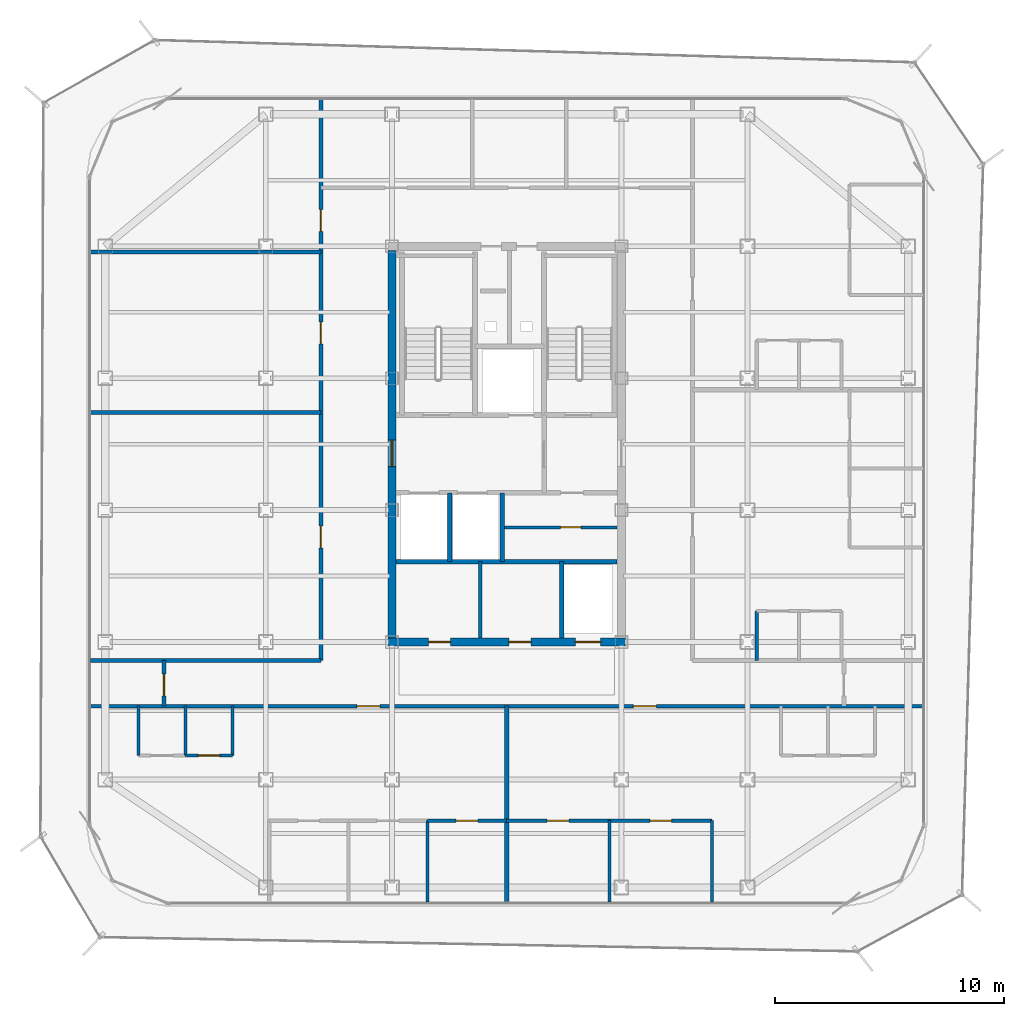
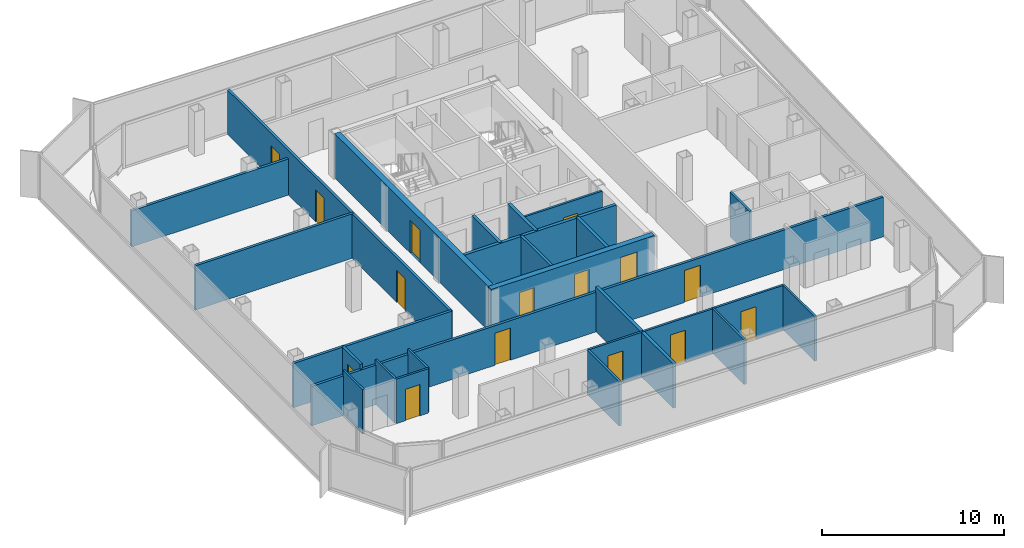
# One storey, part 10 of 15: 27 walls, 15 doors, 15 openings.
"""IFC4 building model written with IfcOpenShell, lengths in metres."""

from ifc_helpers import new_model, si_unit, direction, frame, frame_2d, origin, place, context, subcontext, project, spatial, rectangle, extrude, material, layer, layer_set, type_object, element, fill, save


model = new_model("IFC4")

# Units and contexts
model_context = context("Model", 3, precision=1e-05, world=origin(), true_north=direction((0.0, 1.0)))
body_context = subcontext(model_context, "Body", "Model", "MODEL_VIEW")
ifc_project = project(units=[si_unit("LENGTHUNIT", "METRE"), si_unit("AREAUNIT", "SQUARE_METRE"), si_unit("VOLUMEUNIT", "CUBIC_METRE"), si_unit("PLANEANGLEUNIT", "RADIAN"), si_unit("MASSUNIT", "GRAM", prefix="KILO")], contexts=[model_context])

# Site, building, storey
site_placement = place(None, origin())
site = spatial("IfcSite", under=ifc_project, at=site_placement, CompositionType="ELEMENT")
building_placement = place(site_placement, origin())
building = spatial("IfcBuilding", under=site, at=building_placement, Name="Kolveth Station Tower", CompositionType="ELEMENT")
storey_placement = place(building_placement, frame((0.0, 0.0, 242.5)))
storey = spatial("IfcBuildingStorey", under=building, at=storey_placement, Name="L69", CompositionType="ELEMENT", Elevation=242.5)

# Wall, openings, doors
ifc_material_1 = material(Name="Concrete C50/60", Category="concrete")
ifc_layer_1 = layer(ifc_material_1, 0.35009765625)
ifc_layer_set_1 = layer_set([ifc_layer_1], Name="Concrete C50/60")
wall_type_1 = type_object("IfcWallType", Name="Wall_CW-350", PredefinedType="SHEAR", material=ifc_layer_set_1)
wall_1_placement = place(storey_placement, frame((18.324951171875, 11.5, 0.0), z_axis=(0.0, 0.0, 1.0), x_axis=(1.0, 0.0, 0.0)))
wall_1 = element("IfcWall", 1, at=wall_1_placement, inside=storey, type_object=wall_type_1, Name="L69 Core RC Shear Wall S", PredefinedType="SHEAR", context=body_context, shape_type="SweptSolid", body=[
    extrude(rectangle(XDim=10.35009765625, YDim=0.35009765625, at=frame_2d((5.175048828125, 0.0))), origin(), (0.0, 0.0, 1.0), 2.97998046875),
])
opening_1_placement = place(wall_1_placement, frame((1.77490234375, 0.0, 0.0)))
opening_1 = element("IfcOpeningElement", 2, at=opening_1_placement, cuts=wall_1, Name="Opening ID1", PredefinedType="OPENING", context=body_context, shape_type="SweptSolid", body=[
    extrude(rectangle(XDim=0.949951171875, YDim=2.14990234375, at=frame_2d((0.47509765625, 1.074951171875))), frame((0.0, 0.18505859375, 0.0), z_axis=(0.0, -1.0, 0.0), x_axis=(1.0, 0.0, 0.0)), (0.0, 0.0, 1.0), 0.3701171875),
])
opening_2_placement = place(wall_1_placement, frame((5.27490234375, 0.0, 0.0)))
opening_2 = element("IfcOpeningElement", 3, at=opening_2_placement, cuts=wall_1, Name="Opening ID1", PredefinedType="OPENING", context=body_context, shape_type="SweptSolid", body=[
    extrude(rectangle(XDim=0.949951171875, YDim=2.14990234375, at=frame_2d((0.47509765625, 1.074951171875))), frame((0.0, 0.18505859375, 0.0), z_axis=(0.0, -1.0, 0.0), x_axis=(1.0, 0.0, 0.0)), (0.0, 0.0, 1.0), 0.3701171875),
])
opening_3_placement = place(wall_1_placement, frame((8.175048828125, 0.0, 0.0)))
opening_3 = element("IfcOpeningElement", 4, at=opening_3_placement, cuts=wall_1, Name="Opening LD1", PredefinedType="OPENING", context=body_context, shape_type="SweptSolid", body=[
    extrude(rectangle(XDim=1.10009765625, YDim=2.25, at=frame_2d((0.550048828125, 1.125))), frame((0.0, 0.18505859375, 0.0), z_axis=(0.0, -1.0, 0.0), x_axis=(1.0, 0.0, 0.0)), (0.0, 0.0, 1.0), 0.3701171875),
])
ifc_material_2 = material(Name="Acoustic hardwood leaf and aluminium frame", Category="wood")
door_type_1 = type_object("IfcDoorType", Name="Door_ID1", OperationType="NOTDEFINED", PredefinedType="DOOR", material=ifc_material_2)
door_1_placement = place(opening_1_placement, frame((0.949951171875, 0.0, 0.0), z_axis=(0.0, 0.0, 1.0), x_axis=(-1.0, 0.0, 0.0)))
door_1 = element("IfcDoor", 5, at=door_1_placement, inside=storey, type_object=door_type_1, Name="L69 Laundry Room Door", OperationType="SINGLE_SWING_LEFT", OverallHeight=2.14990234375, OverallWidth=0.949951171875, PredefinedType="DOOR", context=body_context, shape_type="SweptSolid", body=[
    extrude(rectangle(XDim=0.949951171875, YDim=2.14990234375, at=frame_2d((0.47509765625, 1.074951171875))), frame((0.0, 0.02490234375, 0.0), z_axis=(0.0, -1.0, 0.0), x_axis=(1.0, 0.0, 0.0)), (0.0, 0.0, 1.0), 0.050048828125),
])
fill(opening_1, door_1)
door_2_placement = place(opening_2_placement, frame((0.949951171875, 0.0, 0.0), z_axis=(0.0, 0.0, 1.0), x_axis=(-1.0, 0.0, 0.0)))
door_2 = element("IfcDoor", 6, at=door_2_placement, inside=storey, type_object=door_type_1, Name="L69 Parcel Room Door", OperationType="SINGLE_SWING_RIGHT", OverallHeight=2.14990234375, OverallWidth=0.949951171875, PredefinedType="DOOR", context=body_context, shape_type="SweptSolid", body=[
    extrude(rectangle(XDim=0.949951171875, YDim=2.14990234375, at=frame_2d((0.47509765625, 1.074951171875))), frame((0.0, 0.02490234375, 0.0), z_axis=(0.0, -1.0, 0.0), x_axis=(1.0, 0.0, 0.0)), (0.0, 0.0, 1.0), 0.050048828125),
])
fill(opening_2, door_2)
ifc_material_3 = material(Name="Brushed stainless steel sliding landing doors", Category="steel")
door_type_2 = type_object("IfcDoorType", Name="Door_LD1", OperationType="NOTDEFINED", PredefinedType="DOOR", material=ifc_material_3)
door_3_placement = place(opening_3_placement, frame((1.10009765625, 0.0, 0.0), z_axis=(0.0, 0.0, 1.0), x_axis=(-1.0, 0.0, 0.0)))
door_3 = element("IfcDoor", 7, at=door_3_placement, inside=storey, type_object=door_type_2, Name="L69 Lift PH1 Landing Door", OperationType="DOUBLE_DOOR_SLIDING", OverallHeight=2.25, OverallWidth=1.10009765625, PredefinedType="DOOR", context=body_context, shape_type="SweptSolid", body=[
    extrude(rectangle(XDim=1.10009765625, YDim=2.25, at=frame_2d((0.550048828125, 1.125))), frame((0.0, 0.02490234375, 0.0), z_axis=(0.0, -1.0, 0.0), x_axis=(1.0, 0.0, 0.0)), (0.0, 0.0, 1.0), 0.050048828125),
])
fill(opening_3, door_3)

# Wall, opening, door
wall_2_placement = place(storey_placement, frame((18.5, 11.675048828125, 0.0), z_axis=(0.0, 0.0, 1.0), x_axis=(0.0, 1.0, 0.0)))
wall_2 = element("IfcWall", 8, at=wall_2_placement, inside=storey, type_object=wall_type_1, Name="L69 Core RC Shear Wall W", PredefinedType="SHEAR", context=body_context, shape_type="SweptSolid", body=[
    extrude(rectangle(XDim=16.89990234375, YDim=0.35009765625, at=frame_2d((8.449951171875, 0.0))), origin(), (0.0, 0.0, 1.0), 2.97998046875),
])
opening_4_placement = place(wall_2_placement, frame((7.47509765625, 0.0, 0.0)))
opening_4 = element("IfcOpeningElement", 9, at=opening_4_placement, cuts=wall_2, Name="Opening FD1", PredefinedType="OPENING", context=body_context, shape_type="SweptSolid", body=[
    extrude(rectangle(XDim=1.14990234375, YDim=2.199951171875, at=frame_2d((0.574951171875, 1.10009765625))), frame((0.0, 0.18505859375, 0.0), z_axis=(0.0, -1.0, 0.0), x_axis=(1.0, 0.0, 0.0)), (0.0, 0.0, 1.0), 0.3701171875),
])
ifc_material_4 = material(Name="Fire-rated Steel S355 leaf and frame", Category="steel")
door_type_3 = type_object("IfcDoorType", Name="Door_FD1", OperationType="NOTDEFINED", PredefinedType="DOOR", material=ifc_material_4)
door_4_placement = place(opening_4_placement, frame((1.14990234375, 0.0, 0.0), z_axis=(0.0, 0.0, 1.0), x_axis=(-1.0, 0.0, 0.0)))
door_4 = element("IfcDoor", 10, at=door_4_placement, inside=storey, type_object=door_type_3, Name="L69 West Corridor to Firefighting Lobby Door", OperationType="SINGLE_SWING_LEFT", OverallHeight=2.199951171875, OverallWidth=1.14990234375, PredefinedType="DOOR", context=body_context, shape_type="SweptSolid", body=[
    extrude(rectangle(XDim=1.14990234375, YDim=2.199951171875, at=frame_2d((0.574951171875, 1.10009765625))), frame((0.0, 0.02490234375, 0.0), z_axis=(0.0, -1.0, 0.0), x_axis=(1.0, 0.0, 0.0)), (0.0, 0.0, 1.0), 0.050048828125),
])
fill(opening_4, door_4)

ifc_material_5 = material(Name="Moisture-resistant gypsum partition")
ifc_layer_2 = layer(ifc_material_5, 0.135009765625)
ifc_layer_set_2 = layer_set([ifc_layer_2], Name="Moisture-resistant gypsum partition")
wall_type_2 = type_object("IfcWallType", Name="Wall_IW-135", PredefinedType="PARTITIONING", material=ifc_layer_set_2)
wall_3_placement = place(storey_placement, frame((23.300048828125, 16.5, 0.0), z_axis=(0.0, 0.0, 1.0), x_axis=(1.0, 0.0, 0.0)))
wall_3 = element("IfcWall", 11, at=wall_3_placement, inside=storey, type_object=wall_type_2, Name="L69 Partition Wall WL-L69-CB-H1", PredefinedType="PARTITIONING", context=body_context, shape_type="SweptSolid", body=[
    extrude(rectangle(XDim=5.014892578125, YDim=0.135009765625, at=frame_2d((2.50732421875, 0.0))), origin(), (0.0, 0.0, 1.0), 2.97998046875),
])
opening_5_placement = place(wall_3_placement, frame((2.550048828125, 0.0, 0.0)))
opening_5 = element("IfcOpeningElement", 12, at=opening_5_placement, cuts=wall_3, Name="Opening RD1", PredefinedType="OPENING", context=body_context, shape_type="SweptSolid", body=[
    extrude(rectangle(XDim=0.89990234375, YDim=2.050048828125, at=frame_2d((0.449951171875, 1.02490234375))), frame((0.0, 0.077392578125, 0.0), z_axis=(0.0, -1.0, 0.0), x_axis=(1.0, 0.0, 0.0)), (0.0, 0.0, 1.0), 0.155029296875),
])
ifc_material_6 = material(Name="Fire-rated Steel S355 riser access leaf", Category="steel")
door_type_4 = type_object("IfcDoorType", Name="Door_RD1", OperationType="NOTDEFINED", PredefinedType="DOOR", material=ifc_material_6)
door_5_placement = place(opening_5_placement, frame((0.89990234375, 0.0, 0.0), z_axis=(0.0, 0.0, 1.0), x_axis=(-1.0, 0.0, 0.0)))
door_5 = element("IfcDoor", 13, at=door_5_placement, inside=storey, type_object=door_type_4, Name="L69 Core Equipment Store Door", OperationType="SINGLE_SWING_RIGHT", OverallHeight=2.050048828125, OverallWidth=0.89990234375, PredefinedType="DOOR", context=body_context, shape_type="SweptSolid", body=[
    extrude(rectangle(XDim=0.89990234375, YDim=2.050048828125, at=frame_2d((0.449951171875, 1.02490234375))), frame((0.0, 0.02490234375, 0.0), z_axis=(0.0, -1.0, 0.0), x_axis=(1.0, 0.0, 0.0)), (0.0, 0.0, 1.0), 0.050048828125),
])
fill(opening_5, door_5)

wall_4_placement = place(storey_placement, frame((9.5, 6.550048828125, 0.0), z_axis=(0.0, 0.0, 1.0), x_axis=(1.0, 0.0, 0.0)))
wall_4 = element("IfcWall", 14, at=wall_4_placement, inside=storey, type_object=wall_type_2, Name="L69 Partition Wall WL-L69-A1-IBHB", PredefinedType="PARTITIONING", context=body_context, shape_type="SweptSolid", body=[
    extrude(rectangle(XDim=2.050048828125, YDim=0.135009765625, at=frame_2d((1.02490234375, 0.0))), origin(), (0.0, 0.0, 1.0), 2.97998046875),
])
opening_6_placement = place(wall_4_placement, frame((0.56494140625, 0.0, 0.0)))
opening_6 = element("IfcOpeningElement", 15, at=opening_6_placement, cuts=wall_4, Name="Opening ID2", PredefinedType="OPENING", context=body_context, shape_type="SweptSolid", body=[
    extrude(rectangle(XDim=0.919921875, YDim=2.10009765625, at=frame_2d((0.4599609375, 1.050048828125))), frame((0.0, 0.077392578125, 0.0), z_axis=(0.0, -1.0, 0.0), x_axis=(1.0, 0.0, 0.0)), (0.0, 0.0, 1.0), 0.155029296875),
])
ifc_material_7 = material(Name="Moisture-resistant hardwood leaf", Category="wood")
door_type_5 = type_object("IfcDoorType", Name="Door_ID2", OperationType="NOTDEFINED", PredefinedType="DOOR", material=ifc_material_7)
door_6_placement = place(opening_6_placement, origin())
door_6 = element("IfcDoor", 16, at=door_6_placement, inside=storey, type_object=door_type_5, Name="Penthouse Flat L69-A1 Bathroom Door", OperationType="SINGLE_SWING_RIGHT", OverallHeight=2.10009765625, OverallWidth=0.919921875, PredefinedType="DOOR", context=body_context, shape_type="SweptSolid", body=[
    extrude(rectangle(XDim=0.919921875, YDim=2.10009765625, at=frame_2d((0.4599609375, 1.050048828125))), frame((0.0, 0.02490234375, 0.0), z_axis=(0.0, -1.0, 0.0), x_axis=(1.0, 0.0, 0.0)), (0.0, 0.0, 1.0), 0.050048828125),
])
fill(opening_6, door_6)

# Walls
for number, where, z_axis, x_axis, name in (
    (17, (7.449951171875, 6.550048828125, 0.0), (0.0, 0.0, 1.0), (0.0, 1.0, 0.0), "L69 Partition Wall WL-L69-A1-IBV0"),
    (18, (9.5, 6.550048828125, 0.0), (0.0, 0.0, 1.0), (0.0, 1.0, 0.0), "L69 Partition Wall WL-L69-A1-IBV1"),
    (19, (11.550048828125, 6.550048828125, 0.0), (0.0, 0.0, 1.0), (0.0, 1.0, 0.0), "L69 Partition Wall WL-L69-A1-IBV2"),
):
    element("IfcWall", number, at=place(storey_placement, frame(where, z_axis=z_axis, x_axis=x_axis)), inside=storey, type_object=wall_type_2, Name=name, PredefinedType="PARTITIONING", context=body_context, shape_type="SweptSolid", body=[
        extrude(rectangle(XDim=2.14990234375, YDim=0.135009765625, at=frame_2d((1.074951171875, 0.0))), origin(), (0.0, 0.0, 1.0), 2.97998046875),
    ])

# Wall, opening, door
wall_5_placement = place(storey_placement, frame((20.050048828125, 3.7099609375, 0.0), z_axis=(0.0, 0.0, 1.0), x_axis=(1.0, 0.0, 0.0)))
wall_5 = element("IfcWall", 20, at=wall_5_placement, inside=storey, type_object=wall_type_2, Name="L69 Partition Wall WL-L69-A1-BDH3", PredefinedType="PARTITIONING", context=body_context, shape_type="SweptSolid", body=[
    extrude(rectangle(XDim=3.449951171875, YDim=0.135009765625, at=frame_2d((1.72509765625, 0.0))), origin(), (0.0, 0.0, 1.0), 2.97998046875),
])
opening_7_placement = place(wall_5_placement, frame((1.2451171875, 0.0, 0.0)))
opening_7 = element("IfcOpeningElement", 21, at=opening_7_placement, cuts=wall_5, Name="Opening ID1", PredefinedType="OPENING", context=body_context, shape_type="SweptSolid", body=[
    extrude(rectangle(XDim=0.949951171875, YDim=2.14990234375, at=frame_2d((0.47509765625, 1.074951171875))), frame((0.0, 0.077392578125, 0.0), z_axis=(0.0, -1.0, 0.0), x_axis=(1.0, 0.0, 0.0)), (0.0, 0.0, 1.0), 0.155029296875),
])
door_7_placement = place(opening_7_placement, frame((0.949951171875, 0.0, 0.0), z_axis=(0.0, 0.0, 1.0), x_axis=(-1.0, 0.0, 0.0)))
door_7 = element("IfcDoor", 22, at=door_7_placement, inside=storey, type_object=door_type_1, Name="Penthouse Flat L69-A1 Bedroom 3 Door", OperationType="SINGLE_SWING_LEFT", OverallHeight=2.14990234375, OverallWidth=0.949951171875, PredefinedType="DOOR", context=body_context, shape_type="SweptSolid", body=[
    extrude(rectangle(XDim=0.949951171875, YDim=2.14990234375, at=frame_2d((0.47509765625, 1.074951171875))), frame((0.0, 0.02490234375, 0.0), z_axis=(0.0, -1.0, 0.0), x_axis=(1.0, 0.0, 0.0)), (0.0, 0.0, 1.0), 0.050048828125),
])
fill(opening_7, door_7)

# Walls
for number, where, z_axis, x_axis, name in (
    (23, (20.050048828125, 0.159912109375, 0.0), (0.0, 0.0, 1.0), (0.0, 1.0, 0.0), "L69 Partition Wall WL-L69-A1-BDV2"),
    (24, (32.458984375, 0.159912109375, 0.0), (0.0, 0.0, 1.0), (0.0, 1.0, 0.0), "L69 Partition Wall WL-L69-A2-BDVE"),
):
    element("IfcWall", number, at=place(storey_placement, frame(where, z_axis=z_axis, x_axis=x_axis)), inside=storey, type_object=wall_type_2, Name=name, PredefinedType="PARTITIONING", context=body_context, shape_type="SweptSolid", body=[
        extrude(rectangle(XDim=3.550048828125, YDim=0.135009765625, at=frame_2d((1.77490234375, 0.0))), origin(), (0.0, 0.0, 1.0), 2.97998046875),
    ])

# Wall, opening, door
wall_6_placement = place(storey_placement, frame((23.5, 3.7099609375, 0.0), z_axis=(0.0, 0.0, 1.0), x_axis=(1.0, 0.0, 0.0)))
wall_6 = element("IfcWall", 25, at=wall_6_placement, inside=storey, type_object=wall_type_2, Name="L69 Partition Wall WL-L69-A2-BDH1", PredefinedType="PARTITIONING", context=body_context, shape_type="SweptSolid", body=[
    extrude(rectangle(XDim=4.4794921875, YDim=0.135009765625, at=frame_2d((2.23974609375, 0.0))), origin(), (0.0, 0.0, 1.0), 2.97998046875),
])
opening_8_placement = place(wall_6_placement, frame((1.760009765625, 0.0, 0.0)))
opening_8 = element("IfcOpeningElement", 26, at=opening_8_placement, cuts=wall_6, Name="Opening ID1", PredefinedType="OPENING", context=body_context, shape_type="SweptSolid", body=[
    extrude(rectangle(XDim=0.949951171875, YDim=2.14990234375, at=frame_2d((0.47509765625, 1.074951171875))), frame((0.0, 0.077392578125, 0.0), z_axis=(0.0, -1.0, 0.0), x_axis=(1.0, 0.0, 0.0)), (0.0, 0.0, 1.0), 0.155029296875),
])
door_8_placement = place(opening_8_placement, frame((0.949951171875, 0.0, 0.0), z_axis=(0.0, 0.0, 1.0), x_axis=(-1.0, 0.0, 0.0)))
door_8 = element("IfcDoor", 27, at=door_8_placement, inside=storey, type_object=door_type_1, Name="Penthouse Flat L69-A2 Bedroom 1 Door", OperationType="SINGLE_SWING_LEFT", OverallHeight=2.14990234375, OverallWidth=0.949951171875, PredefinedType="DOOR", context=body_context, shape_type="SweptSolid", body=[
    extrude(rectangle(XDim=0.949951171875, YDim=2.14990234375, at=frame_2d((0.47509765625, 1.074951171875))), frame((0.0, 0.02490234375, 0.0), z_axis=(0.0, -1.0, 0.0), x_axis=(1.0, 0.0, 0.0)), (0.0, 0.0, 1.0), 0.050048828125),
])
fill(opening_8, door_8)

wall_7_placement = place(storey_placement, frame((27.9794921875, 3.7099609375, 0.0), z_axis=(0.0, 0.0, 1.0), x_axis=(1.0, 0.0, 0.0)))
wall_7 = element("IfcWall", 28, at=wall_7_placement, inside=storey, type_object=wall_type_2, Name="L69 Partition Wall WL-L69-A2-BDH2", PredefinedType="PARTITIONING", context=body_context, shape_type="SweptSolid", body=[
    extrude(rectangle(XDim=4.4794921875, YDim=0.135009765625, at=frame_2d((2.23974609375, 0.0))), origin(), (0.0, 0.0, 1.0), 2.97998046875),
])
opening_9_placement = place(wall_7_placement, frame((1.759033203125, 0.0, 0.0)))
opening_9 = element("IfcOpeningElement", 29, at=opening_9_placement, cuts=wall_7, Name="Opening ID1", PredefinedType="OPENING", context=body_context, shape_type="SweptSolid", body=[
    extrude(rectangle(XDim=0.949951171875, YDim=2.14990234375, at=frame_2d((0.47509765625, 1.074951171875))), frame((0.0, 0.077392578125, 0.0), z_axis=(0.0, -1.0, 0.0), x_axis=(1.0, 0.0, 0.0)), (0.0, 0.0, 1.0), 0.155029296875),
])
door_9_placement = place(opening_9_placement, frame((0.949951171875, 0.0, 0.0), z_axis=(0.0, 0.0, 1.0), x_axis=(-1.0, 0.0, 0.0)))
door_9 = element("IfcDoor", 30, at=door_9_placement, inside=storey, type_object=door_type_1, Name="Penthouse Flat L69-A2 Bedroom 2 Door", OperationType="SINGLE_SWING_RIGHT", OverallHeight=2.14990234375, OverallWidth=0.949951171875, PredefinedType="DOOR", context=body_context, shape_type="SweptSolid", body=[
    extrude(rectangle(XDim=0.949951171875, YDim=2.14990234375, at=frame_2d((0.47509765625, 1.074951171875))), frame((0.0, 0.02490234375, 0.0), z_axis=(0.0, -1.0, 0.0), x_axis=(1.0, 0.0, 0.0)), (0.0, 0.0, 1.0), 0.050048828125),
])
fill(opening_9, door_9)

# Walls
wall_8_placement = place(storey_placement, frame((27.9794921875, 0.159912109375, 0.0), z_axis=(0.0, 0.0, 1.0), x_axis=(0.0, 1.0, 0.0)))
element("IfcWall", 31, at=wall_8_placement, inside=storey, type_object=wall_type_2, Name="L69 Partition Wall WL-L69-A2-BDV1", PredefinedType="PARTITIONING", context=body_context, shape_type="SweptSolid", body=[
    extrude(rectangle(XDim=3.550048828125, YDim=0.135009765625, at=frame_2d((1.77490234375, 0.0))), origin(), (0.0, 0.0, 1.0), 2.97998046875),
])
wall_9_placement = place(storey_placement, frame((34.39990234375, 10.699951171875, 0.0), z_axis=(0.0, 0.0, 1.0), x_axis=(0.0, 1.0, 0.0)))
element("IfcWall", 32, at=wall_9_placement, inside=storey, type_object=wall_type_2, Name="L69 Partition Wall WL-L69-E1-IBV0", PredefinedType="PARTITIONING", context=body_context, shape_type="SweptSolid", body=[
    extrude(rectangle(XDim=2.150146484375, YDim=0.135009765625, at=frame_2d((1.0751953125, 0.0))), origin(), (0.0, 0.0, 1.0), 2.97998046875),
])
ifc_material_8 = material(Name="Acoustic double-stud gypsum partition")
ifc_layer_3 = layer(ifc_material_8, 0.1650390625)
ifc_layer_set_3 = layer_set([ifc_layer_3], Name="Acoustic double-stud gypsum partition")
wall_type_3 = type_object("IfcWallType", Name="Wall_IW-165", PredefinedType="PARTITIONING", material=ifc_layer_set_3)
wall_10_placement = place(storey_placement, frame((22.35009765625, 11.68505859375, 0.0), z_axis=(0.0, 0.0, 1.0), x_axis=(0.0, 1.0, 0.0)))
element("IfcWall", 33, at=wall_10_placement, inside=storey, type_object=wall_type_3, Name="L69 Partition Wall WL-L69-FR-M", PredefinedType="PARTITIONING", context=body_context, shape_type="SweptSolid", body=[
    extrude(rectangle(XDim=3.31494140625, YDim=0.1650390625, at=frame_2d((1.657470703125, 0.0))), origin(), (0.0, 0.0, 1.0), 2.97998046875),
])

# Wall, openings, doors
wall_11_placement = place(storey_placement, frame((5.360107421875, 8.699951171875, 0.0), z_axis=(0.0, 0.0, 1.0), x_axis=(1.0, 0.0, 0.0)))
wall_11 = element("IfcWall", 34, at=wall_11_placement, inside=storey, type_object=wall_type_3, Name="L69 Partition Wall WL-L69-RS", PredefinedType="PARTITIONING", context=body_context, shape_type="SweptSolid", body=[
    extrude(rectangle(XDim=36.27978515625, YDim=0.1650390625, at=frame_2d((18.139892578125, 0.0))), origin(), (0.0, 0.0, 1.0), 2.655029296875),
])
opening_10_placement = place(wall_11_placement, frame((11.614990234375, 0.0, 0.0)))
opening_10 = element("IfcOpeningElement", 35, at=opening_10_placement, cuts=wall_11, Name="Opening FD3", PredefinedType="OPENING", context=body_context, shape_type="SweptSolid", body=[
    extrude(rectangle(XDim=1.0, YDim=2.14990234375, at=frame_2d((0.5, 1.074951171875))), frame((0.0, 0.092529296875, 0.0), z_axis=(0.0, -1.0, 0.0), x_axis=(1.0, 0.0, 0.0)), (0.0, 0.0, 1.0), 0.18505859375),
])
opening_11_placement = place(wall_11_placement, frame((23.6650390625, 0.0, 0.0)))
opening_11 = element("IfcOpeningElement", 36, at=opening_11_placement, cuts=wall_11, Name="Opening FD3", PredefinedType="OPENING", context=body_context, shape_type="SweptSolid", body=[
    extrude(rectangle(XDim=1.0, YDim=2.14990234375, at=frame_2d((0.5, 1.074951171875))), frame((0.0, 0.092529296875, 0.0), z_axis=(0.0, -1.0, 0.0), x_axis=(1.0, 0.0, 0.0)), (0.0, 0.0, 1.0), 0.18505859375),
])
ifc_material_9 = material(Name="Fire-rated hardwood leaf and aluminium frame", Category="wood")
door_type_6 = type_object("IfcDoorType", Name="Door_FD3", OperationType="NOTDEFINED", PredefinedType="DOOR", material=ifc_material_9)
door_10_placement = place(opening_10_placement, frame((1.0, 0.0, 0.0), z_axis=(0.0, 0.0, 1.0), x_axis=(-1.0, 0.0, 0.0)))
door_10 = element("IfcDoor", 37, at=door_10_placement, inside=storey, type_object=door_type_6, Name="Penthouse Flat L69-A1 Entrance Door", OperationType="SINGLE_SWING_LEFT", OverallHeight=2.14990234375, OverallWidth=1.0, PredefinedType="DOOR", context=body_context, shape_type="SweptSolid", body=[
    extrude(rectangle(XDim=1.0, YDim=2.14990234375, at=frame_2d((0.5, 1.074951171875))), frame((0.0, 0.02490234375, 0.0), z_axis=(0.0, -1.0, 0.0), x_axis=(1.0, 0.0, 0.0)), (0.0, 0.0, 1.0), 0.050048828125),
])
fill(opening_10, door_10)
door_11_placement = place(opening_11_placement, frame((1.0, 0.0, 0.0), z_axis=(0.0, 0.0, 1.0), x_axis=(-1.0, 0.0, 0.0)))
door_11 = element("IfcDoor", 38, at=door_11_placement, inside=storey, type_object=door_type_6, Name="Penthouse Flat L69-A2 Entrance Door", OperationType="SINGLE_SWING_LEFT", OverallHeight=2.14990234375, OverallWidth=1.0, PredefinedType="DOOR", context=body_context, shape_type="SweptSolid", body=[
    extrude(rectangle(XDim=1.0, YDim=2.14990234375, at=frame_2d((0.5, 1.074951171875))), frame((0.0, 0.02490234375, 0.0), z_axis=(0.0, -1.0, 0.0), x_axis=(1.0, 0.0, 0.0)), (0.0, 0.0, 1.0), 0.050048828125),
])
fill(opening_11, door_11)

# Wall
wall_12_placement = place(storey_placement, frame((8.56005859375, 10.699951171875, 0.0), z_axis=(0.0, 0.0, 1.0), x_axis=(1.0, 0.0, 0.0)))
element("IfcWall", 39, at=wall_12_placement, inside=storey, type_object=wall_type_3, Name="L69 Partition Wall WL-L69-RSWT", PredefinedType="PARTITIONING", context=body_context, shape_type="SweptSolid", body=[
    extrude(rectangle(XDim=6.83984375, YDim=0.1650390625, at=frame_2d((3.419921875, 0.0))), origin(), (0.0, 0.0, 1.0), 2.97998046875),
])

# Wall, opening, door
wall_13_placement = place(storey_placement, frame((8.56005859375, 8.699951171875, 0.0), z_axis=(0.0, 0.0, 1.0), x_axis=(0.0, 1.0, 0.0)))
wall_13 = element("IfcWall", 40, at=wall_13_placement, inside=storey, type_object=wall_type_3, Name="L69 Partition Wall WL-L69-RSWE", PredefinedType="PARTITIONING", context=body_context, shape_type="SweptSolid", body=[
    extrude(rectangle(XDim=2.0, YDim=0.1650390625, at=frame_2d((1.0, 0.0))), origin(), (0.0, 0.0, 1.0), 2.97998046875),
])
opening_12_placement = place(wall_13_placement, frame((0.449951171875, 0.0, 0.0)))
opening_12 = element("IfcOpeningElement", 41, at=opening_12_placement, cuts=wall_13, Name="Opening ID1", PredefinedType="OPENING", context=body_context, shape_type="SweptSolid", body=[
    extrude(rectangle(XDim=0.949951171875, YDim=2.14990234375, at=frame_2d((0.47509765625, 1.074951171875))), frame((0.0, 0.092529296875, 0.0), z_axis=(0.0, -1.0, 0.0), x_axis=(1.0, 0.0, 0.0)), (0.0, 0.0, 1.0), 0.18505859375),
])
door_12_placement = place(opening_12_placement, frame((0.949951171875, 0.0, 0.0), z_axis=(0.0, 0.0, 1.0), x_axis=(-1.0, 0.0, 0.0)))
door_12 = element("IfcDoor", 42, at=door_12_placement, inside=storey, type_object=door_type_1, Name="L69 West Store Door", OperationType="SINGLE_SWING_RIGHT", OverallHeight=2.14990234375, OverallWidth=0.949951171875, PredefinedType="DOOR", context=body_context, shape_type="SweptSolid", body=[
    extrude(rectangle(XDim=0.949951171875, YDim=2.14990234375, at=frame_2d((0.47509765625, 1.074951171875))), frame((0.0, 0.02490234375, 0.0), z_axis=(0.0, -1.0, 0.0), x_axis=(1.0, 0.0, 0.0)), (0.0, 0.0, 1.0), 0.050048828125),
])
fill(opening_12, door_12)

# Wall, openings, doors
wall_14_placement = place(storey_placement, frame((15.39990234375, 10.699951171875, 0.0), z_axis=(0.0, 0.0, 1.0), x_axis=(0.0, 1.0, 0.0)))
wall_14 = element("IfcWall", 43, at=wall_14_placement, inside=storey, type_object=wall_type_3, Name="L69 Partition Wall WL-L69-RW", PredefinedType="PARTITIONING", context=body_context, shape_type="SweptSolid", body=[
    extrude(rectangle(XDim=24.43994140625, YDim=0.1650390625, at=frame_2d((12.219970703125, 0.0))), origin(), (0.0, 0.0, 1.0), 2.97998046875),
])
opening_13_placement = place(wall_14_placement, frame((4.89990234375, 0.0, 0.0)))
opening_13 = element("IfcOpeningElement", 44, at=opening_13_placement, cuts=wall_14, Name="Opening ID1", PredefinedType="OPENING", context=body_context, shape_type="SweptSolid", body=[
    extrude(rectangle(XDim=0.949951171875, YDim=2.14990234375, at=frame_2d((0.47509765625, 1.074951171875))), frame((0.0, 0.092529296875, 0.0), z_axis=(0.0, -1.0, 0.0), x_axis=(1.0, 0.0, 0.0)), (0.0, 0.0, 1.0), 0.18505859375),
])
opening_14_placement = place(wall_14_placement, frame((13.800048828125, 0.0, 0.0)))
opening_14 = element("IfcOpeningElement", 45, at=opening_14_placement, cuts=wall_14, Name="Opening ID1", PredefinedType="OPENING", context=body_context, shape_type="SweptSolid", body=[
    extrude(rectangle(XDim=0.949951171875, YDim=2.14990234375, at=frame_2d((0.47509765625, 1.074951171875))), frame((0.0, 0.092529296875, 0.0), z_axis=(0.0, -1.0, 0.0), x_axis=(1.0, 0.0, 0.0)), (0.0, 0.0, 1.0), 0.18505859375),
])
opening_15_placement = place(wall_14_placement, frame((18.699951171875, 0.0, 0.0)))
opening_15 = element("IfcOpeningElement", 46, at=opening_15_placement, cuts=wall_14, Name="Opening ID1", PredefinedType="OPENING", context=body_context, shape_type="SweptSolid", body=[
    extrude(rectangle(XDim=0.949951171875, YDim=2.14990234375, at=frame_2d((0.47509765625, 1.074951171875))), frame((0.0, 0.092529296875, 0.0), z_axis=(0.0, -1.0, 0.0), x_axis=(1.0, 0.0, 0.0)), (0.0, 0.0, 1.0), 0.18505859375),
])
door_13_placement = place(opening_13_placement, frame((0.949951171875, 0.0, 0.0), z_axis=(0.0, 0.0, 1.0), x_axis=(-1.0, 0.0, 0.0)))
door_13 = element("IfcDoor", 47, at=door_13_placement, inside=storey, type_object=door_type_1, Name="L69 Residents' Club Lounge Door", OperationType="SINGLE_SWING_RIGHT", OverallHeight=2.14990234375, OverallWidth=0.949951171875, PredefinedType="DOOR", context=body_context, shape_type="SweptSolid", body=[
    extrude(rectangle(XDim=0.949951171875, YDim=2.14990234375, at=frame_2d((0.47509765625, 1.074951171875))), frame((0.0, 0.02490234375, 0.0), z_axis=(0.0, -1.0, 0.0), x_axis=(1.0, 0.0, 0.0)), (0.0, 0.0, 1.0), 0.050048828125),
])
fill(opening_13, door_13)
door_14_placement = place(opening_14_placement, frame((0.949951171875, 0.0, 0.0), z_axis=(0.0, 0.0, 1.0), x_axis=(-1.0, 0.0, 0.0)))
door_14 = element("IfcDoor", 48, at=door_14_placement, inside=storey, type_object=door_type_1, Name="L69 Residents' Screening Room Door", OperationType="SINGLE_SWING_LEFT", OverallHeight=2.14990234375, OverallWidth=0.949951171875, PredefinedType="DOOR", context=body_context, shape_type="SweptSolid", body=[
    extrude(rectangle(XDim=0.949951171875, YDim=2.14990234375, at=frame_2d((0.47509765625, 1.074951171875))), frame((0.0, 0.02490234375, 0.0), z_axis=(0.0, -1.0, 0.0), x_axis=(1.0, 0.0, 0.0)), (0.0, 0.0, 1.0), 0.050048828125),
])
fill(opening_14, door_14)
door_15_placement = place(opening_15_placement, frame((0.949951171875, 0.0, 0.0), z_axis=(0.0, 0.0, 1.0), x_axis=(-1.0, 0.0, 0.0)))
door_15 = element("IfcDoor", 49, at=door_15_placement, inside=storey, type_object=door_type_1, Name="L69 Club Servery Pantry Door", OperationType="SINGLE_SWING_LEFT", OverallHeight=2.14990234375, OverallWidth=0.949951171875, PredefinedType="DOOR", context=body_context, shape_type="SweptSolid", body=[
    extrude(rectangle(XDim=0.949951171875, YDim=2.14990234375, at=frame_2d((0.47509765625, 1.074951171875))), frame((0.0, 0.02490234375, 0.0), z_axis=(0.0, -1.0, 0.0), x_axis=(1.0, 0.0, 0.0)), (0.0, 0.0, 1.0), 0.050048828125),
])
fill(opening_15, door_15)

# Walls
wall_15_placement = place(storey_placement, frame((5.360107421875, 10.699951171875, 0.0), z_axis=(0.0, 0.0, 1.0), x_axis=(1.0, 0.0, 0.0)))
element("IfcWall", 50, at=wall_15_placement, inside=storey, type_object=wall_type_3, Name="L69 Partition Wall WL-L69-WSTN", PredefinedType="PARTITIONING", context=body_context, shape_type="SweptSolid", body=[
    extrude(rectangle(XDim=3.199951171875, YDim=0.1650390625, at=frame_2d((1.60009765625, 0.0))), origin(), (0.0, 0.0, 1.0), 2.97998046875),
])
wall_16_placement = place(storey_placement, frame((5.360107421875, 21.5, 0.0), z_axis=(0.0, 0.0, 1.0), x_axis=(1.0, 0.0, 0.0)))
element("IfcWall", 51, at=wall_16_placement, inside=storey, type_object=wall_type_3, Name="L69 Partition Wall WL-L69-RWA-P1", PredefinedType="PARTITIONING", context=body_context, shape_type="SweptSolid", body=[
    extrude(rectangle(XDim=10.039794921875, YDim=0.1650390625, at=frame_2d((5.02001953125, 0.0))), origin(), (0.0, 0.0, 1.0), 2.97998046875),
])
wall_17_placement = place(storey_placement, frame((5.360107421875, 28.5, 0.0), z_axis=(0.0, 0.0, 1.0), x_axis=(1.0, 0.0, 0.0)))
element("IfcWall", 52, at=wall_17_placement, inside=storey, type_object=wall_type_3, Name="L69 Partition Wall WL-L69-RWA-P2", PredefinedType="PARTITIONING", context=body_context, shape_type="SweptSolid", body=[
    extrude(rectangle(XDim=10.039794921875, YDim=0.1650390625, at=frame_2d((5.02001953125, 0.0))), origin(), (0.0, 0.0, 1.0), 2.427978515625),
])
ifc_material_10 = material(Name="Acoustic fire-rated gypsum blockwork", Category="masonry")
ifc_layer_4 = layer(ifc_material_10, 0.199951171875)
ifc_layer_set_4 = layer_set([ifc_layer_4], Name="Acoustic fire-rated gypsum blockwork")
wall_type_4 = type_object("IfcWallType", Name="Wall_IW-200", PredefinedType="PARTITIONING", material=ifc_layer_set_4)
for number, where, z_axis, x_axis, name in (
    (53, (21.02001953125, 15.0, 0.0), (0.0, 0.0, 1.0), (0.0, 1.0, 0.0), "L69 Partition Wall WL-L69-FF12"),
    (54, (23.300048828125, 15.0, 0.0), (0.0, 0.0, 1.0), (0.0, 1.0, 0.0), "L69 Partition Wall WL-L69-FF2E"),
):
    element("IfcWall", number, at=place(storey_placement, frame(where, z_axis=z_axis, x_axis=x_axis)), inside=storey, type_object=wall_type_4, Name=name, PredefinedType="PARTITIONING", context=body_context, shape_type="SweptSolid", body=[
        extrude(rectangle(XDim=3.0, YDim=0.199951171875, at=frame_2d((1.5, 0.0))), origin(), (0.0, 0.0, 1.0), 2.97998046875),
    ])
wall_18_placement = place(storey_placement, frame((18.68505859375, 15.0, 0.0), z_axis=(0.0, 0.0, 1.0), x_axis=(1.0, 0.0, 0.0)))
element("IfcWall", 55, at=wall_18_placement, inside=storey, type_object=wall_type_4, Name="L69 Partition Wall WL-L69-BOH-S", PredefinedType="PARTITIONING", context=body_context, shape_type="SweptSolid", body=[
    extrude(rectangle(XDim=9.6298828125, YDim=0.199951171875, at=frame_2d((4.81494140625, 0.0))), origin(), (0.0, 0.0, 1.0), 2.97998046875),
])
wall_19_placement = place(storey_placement, frame((25.89990234375, 11.68505859375, 0.0), z_axis=(0.0, 0.0, 1.0), x_axis=(0.0, 1.0, 0.0)))
element("IfcWall", 56, at=wall_19_placement, inside=storey, type_object=wall_type_4, Name="L69 Partition Wall WL-L69-PMPH", PredefinedType="PARTITIONING", context=body_context, shape_type="SweptSolid", body=[
    extrude(rectangle(XDim=3.31494140625, YDim=0.199951171875, at=frame_2d((1.657470703125, 0.0))), origin(), (0.0, 0.0, 1.0), 2.97998046875),
])
wall_20_placement = place(storey_placement, frame((23.5, 0.159912109375, 0.0), z_axis=(0.0, 0.0, 1.0), x_axis=(0.0, 1.0, 0.0)))
element("IfcWall", 57, at=wall_20_placement, inside=storey, type_object=wall_type_4, Name="L69 Partition Wall WL-L69-RSU-1", PredefinedType="PARTITIONING", context=body_context, shape_type="SweptSolid", body=[
    extrude(rectangle(XDim=8.5400390625, YDim=0.199951171875, at=frame_2d((4.27001953125, 0.0))), origin(), (0.0, 0.0, 1.0), 2.97998046875),
])

save(model, "model.ifc")
